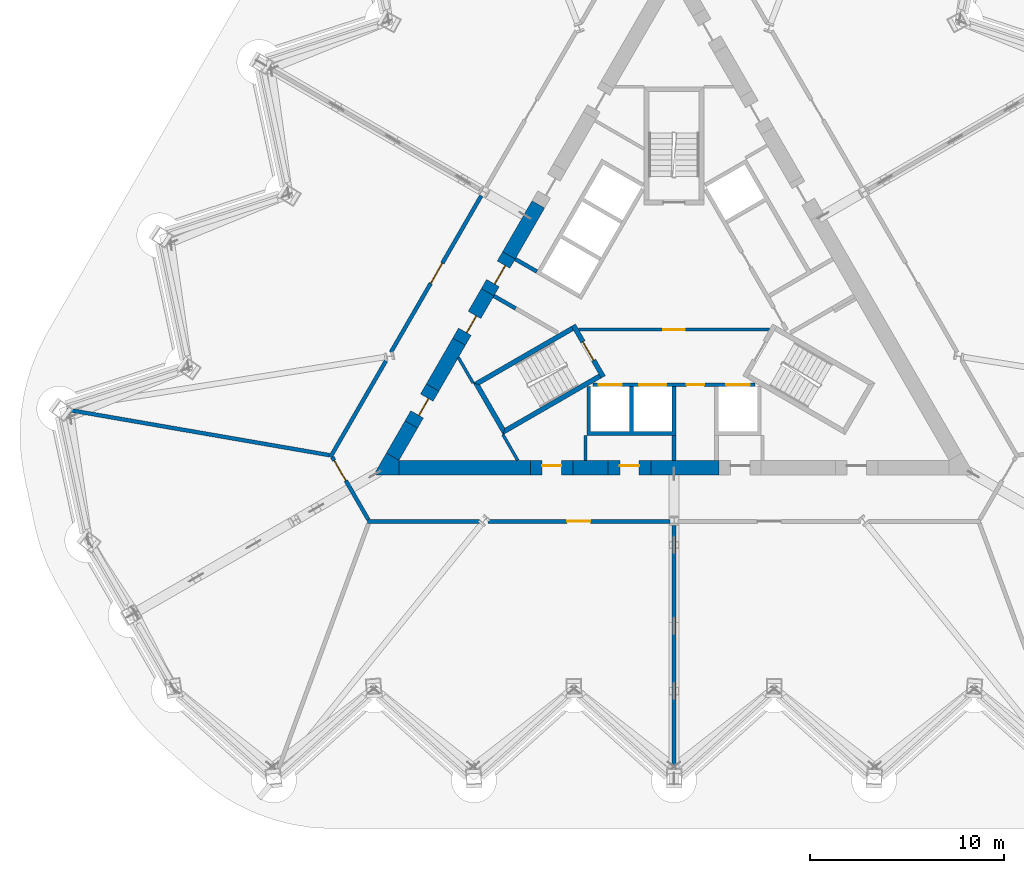
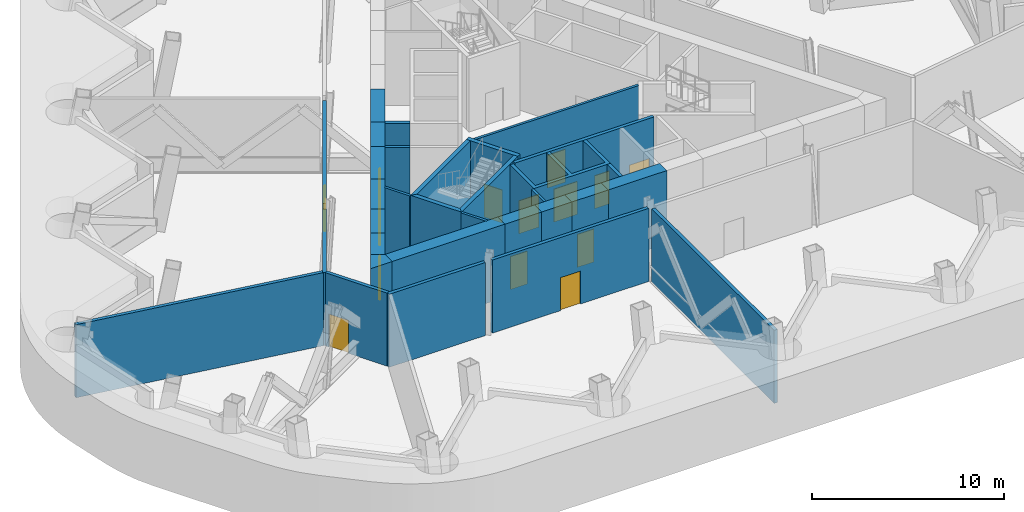
# One storey, part 5 of 13: 32 walls, 14 doors, 14 openings.
"""IFC4 building model written with IfcOpenShell, lengths in metres."""

from ifc_helpers import new_model, si_unit, direction, frame, frame_2d, origin, place, context, subcontext, project, spatial, polyline, rectangle, outline, extrude, material, layer, layer_set, type_object, element, fill, save


model = new_model("IFC4")

# Units and contexts
model_context = context("Model", 3, precision=1e-05, world=origin(), true_north=direction((0.0, 1.0)))
body_context = subcontext(model_context, "Body", "Model", "MODEL_VIEW")
ifc_project = project(units=[si_unit("LENGTHUNIT", "METRE"), si_unit("AREAUNIT", "SQUARE_METRE"), si_unit("VOLUMEUNIT", "CUBIC_METRE"), si_unit("PLANEANGLEUNIT", "RADIAN"), si_unit("MASSUNIT", "GRAM", prefix="KILO")], contexts=[model_context])

# Site, building, storey
site_placement = place(None, origin())
site = spatial("IfcSite", under=ifc_project, at=site_placement, CompositionType="ELEMENT")
building_placement = place(site_placement, origin())
building = spatial("IfcBuilding", under=site, at=building_placement, Name="Cormorant Prow Tower", CompositionType="ELEMENT")
storey_placement = place(building_placement, frame((0.0, 0.0, 226.0)))
storey = spatial("IfcBuildingStorey", under=building, at=storey_placement, Name="L49", CompositionType="ELEMENT", Elevation=226.0)

# Wall, opening, door
ifc_material_1 = material(Name="Gypsum board partition")
ifc_layer_1 = layer(ifc_material_1, 0.14990234375)
ifc_layer_set_1 = layer_set([ifc_layer_1], Name="Gypsum board partition")
wall_type_1 = type_object("IfcWallType", Name="Core partition 150", PredefinedType="PARTITIONING", material=ifc_layer_set_1)
wall_1_placement = place(storey_placement, frame((-4.941162109375, -1.449951171875, 0.0), z_axis=(0.0, 0.0, 1.0), x_axis=(1.0, 0.0, 0.0)))
wall_1 = element("IfcWall", 1, at=wall_1_placement, inside=storey, type_object=wall_type_1, Name="Firefighting lobby partition", PredefinedType="PARTITIONING", context=body_context, shape_type="SweptSolid", body=[
    extrude(rectangle(XDim=9.88232421875, YDim=0.14990234375, at=frame_2d((4.941162109375, 0.0))), origin(), (0.0, 0.0, 1.0), 4.64990234375),
])
opening_1_placement = place(wall_1_placement, frame((4.39111328125, 0.0, 0.0)))
opening_1 = element("IfcOpeningElement", 2, at=opening_1_placement, cuts=wall_1, Name="Opening L49-C07", PredefinedType="OPENING", context=body_context, shape_type="SweptSolid", body=[
    extrude(rectangle(XDim=1.10009765625, YDim=2.10009765625, at=frame_2d((0.550048828125, 1.050048828125))), frame((0.0, 0.0849609375, 0.0), z_axis=(0.0, -1.0, 0.0), x_axis=(1.0, 0.0, 0.0)), (0.0, 0.0, 1.0), 0.169921875),
])
ifc_material_2 = material(Name="Painted steel", Category="steel")
door_type_1 = type_object("IfcDoorType", Name="Firefighting lobby door 1100x2100", OperationType="NOTDEFINED", PredefinedType="DOOR", material=ifc_material_2)
door_1_placement = place(opening_1_placement, origin())
door_1 = element("IfcDoor", 3, at=door_1_placement, inside=storey, type_object=door_type_1, Name="Firefighting lobby door", OperationType="SINGLE_SWING_LEFT", OverallHeight=2.10009765625, OverallWidth=1.10009765625, PredefinedType="DOOR", context=body_context, shape_type="SweptSolid", body=[
    extrude(rectangle(XDim=1.10009765625, YDim=2.10009765625, at=frame_2d((0.550048828125, 1.050048828125))), frame((0.0, 0.02490234375, 0.0), z_axis=(0.0, -1.0, 0.0), x_axis=(1.0, 0.0, 0.0)), (0.0, 0.0, 1.0), 0.050048828125),
])
fill(opening_1, door_1)

# Walls
wall_2_placement = place(storey_placement, frame((-4.574951171875, -6.906005859375, 0.0), z_axis=(0.0, 0.0, 1.0), x_axis=(0.0, -1.0, 0.0)))
element("IfcWall", 4, at=wall_2_placement, inside=storey, type_object=wall_type_1, Name="Service room partition", PredefinedType="PARTITIONING", context=body_context, shape_type="SweptSolid", body=[
    extrude(rectangle(XDim=1.29296875, YDim=0.14990234375, at=frame_2d((0.646484375, 0.0))), origin(), (0.0, 0.0, 1.0), 4.64990234375),
])
for number, where, z_axis, x_axis, name in (
    (5, (-8.82958984375, -6.880615234375, 0.0), (0.0, 0.0, 1.0), (0.500037110984, -0.866003976688, 0.0), "Service room partition"),
    (6, (-10.37353515625, -4.206298828125, 0.0), (0.0, 0.0, 1.0), (-0.500037110984, 0.866003976688, 0.0), "Service room partition"),
):
    element("IfcWall", number, at=place(storey_placement, frame(where, z_axis=z_axis, x_axis=x_axis)), inside=storey, type_object=wall_type_1, Name=name, PredefinedType="PARTITIONING", context=body_context, shape_type="SweptSolid", body=[
        extrude(rectangle(XDim=1.5224609375, YDim=0.14990234375, at=frame_2d((0.76123046875, 0.0))), origin(), (0.0, 0.0, 1.0), 4.64990234375),
    ])
ifc_material_3 = material(Name="Concrete 8000 psi", Category="concrete")
ifc_layer_2 = layer(ifc_material_3, 0.75)
ifc_layer_set_2 = layer_set([ifc_layer_2], Name="Concrete 8000 psi")
wall_type_2 = type_object("IfcWallType", Name="Core shear wall 750", PredefinedType="SHEAR", material=ifc_layer_set_2)
wall_3_placement = place(storey_placement, frame((-14.200927734375, -8.573974609375, 0.0), z_axis=(0.0, 0.0, 1.0), x_axis=(1.0, 0.0, 0.0)))
element("IfcWall", 7, at=wall_3_placement, inside=storey, type_object=wall_type_2, Name="Core wall", PredefinedType="SHEAR", context=body_context, shape_type="SweptSolid", body=[
    extrude(rectangle(XDim=6.784912109375, YDim=0.75, at=frame_2d((3.392578125, 0.0))), origin(), (0.0, 0.0, 1.0), 4.64990234375),
])
wall_4_placement = place(storey_placement, frame((-1.199951171875, -8.573974609375, 0.0), z_axis=(0.0, 0.0, 1.0), x_axis=(1.0, 0.0, 0.0)))
element("IfcWall", 8, at=wall_4_placement, inside=storey, type_object=wall_type_2, Name="Core wall", PredefinedType="SHEAR", context=body_context, shape_type="SweptSolid", body=[
    extrude(rectangle(XDim=3.52001953125, YDim=0.75, at=frame_2d((1.760009765625, 0.0))), origin(), (0.0, 0.0, 1.0), 4.64990234375),
])
wall_5_placement = place(storey_placement, frame((-5.2158203125, -8.573974609375, 0.0), z_axis=(0.0, 0.0, 1.0), x_axis=(1.0, 0.0, 0.0)))
element("IfcWall", 9, at=wall_5_placement, inside=storey, type_object=wall_type_2, Name="Core wall", PredefinedType="SHEAR", context=body_context, shape_type="SweptSolid", body=[
    extrude(rectangle(XDim=1.81591796875, YDim=0.75, at=frame_2d((0.907958984375, 0.0))), origin(), (0.0, 0.0, 1.0), 4.64990234375),
])
wall_6_placement = place(storey_placement, frame((-7.00634765625, 5.012451171875, 0.0), z_axis=(0.0, 0.0, 1.0), x_axis=(-0.49996826437, -0.866043725583, 0.0)))
element("IfcWall", 10, at=wall_6_placement, inside=storey, type_object=wall_type_2, Name="Core wall", PredefinedType="SHEAR", context=body_context, shape_type="SweptSolid", body=[
    extrude(rectangle(XDim=3.037841796875, YDim=0.75, at=frame_2d((1.51904296875, 0.0))), origin(), (0.0, 0.0, 1.0), 4.64990234375),
])
wall_7_placement = place(storey_placement, frame((-11.095703125, -2.0703125, 0.0), z_axis=(0.0, 0.0, 1.0), x_axis=(-0.49992834617, -0.86606676919, 0.0)))
element("IfcWall", 11, at=wall_7_placement, inside=storey, type_object=wall_type_2, Name="Core wall", PredefinedType="SHEAR", context=body_context, shape_type="SweptSolid", body=[
    extrude(rectangle(XDim=2.7373046875, YDim=0.75, at=frame_2d((1.36865234375, 0.0))), origin(), (0.0, 0.0, 1.0), 4.64990234375),
])
wall_8_placement = place(storey_placement, frame((-13.564208984375, -6.34619140625, 0.0), z_axis=(0.0, 0.0, 1.0), x_axis=(-0.499989888488, -0.86603124159, 0.0)))
element("IfcWall", 12, at=wall_8_placement, inside=storey, type_object=wall_type_2, Name="Core wall", PredefinedType="SHEAR", context=body_context, shape_type="SweptSolid", body=[
    extrude(rectangle(XDim=1.9228515625, YDim=0.75, at=frame_2d((0.96142578125, 0.0))), origin(), (0.0, 0.0, 1.0), 4.64990234375),
])
wall_9_placement = place(storey_placement, origin())
element("IfcWall", 13, at=wall_9_placement, inside=storey, type_object=wall_type_2, Name="Core wall corner", PredefinedType="SHEAR", context=body_context, shape_type="SweptSolid", body=[
    extrude(outline(polyline([(-14.8505859375, -7.823974609375), (-14.200927734375, -8.198974609375), (-14.200927734375, -8.948974609375), (-15.5, -8.948974609375), (-14.8505859375, -7.823974609375)])), origin(), (0.0, 0.0, 1.0), 4.64990234375),
])

# Wall, opening, door
wall_10_placement = place(storey_placement, frame((-3.39990234375, -8.573974609375, 0.0), z_axis=(0.0, 0.0, 1.0), x_axis=(1.0, 0.0, 0.0)))
wall_10 = element("IfcWall", 14, at=wall_10_placement, inside=storey, type_object=wall_type_2, Name="Core wall door panel", PredefinedType="SHEAR", context=body_context, shape_type="SweptSolid", body=[
    extrude(rectangle(XDim=2.199951171875, YDim=0.75, at=frame_2d((1.10009765625, 0.0))), origin(), (0.0, 0.0, 1.0), 4.64990234375),
])
opening_2_placement = place(wall_10_placement, frame((0.60009765625, 0.0, 0.0)))
opening_2 = element("IfcOpeningElement", 15, at=opening_2_placement, cuts=wall_10, Name="Opening L49-C11", PredefinedType="OPENING", context=body_context, shape_type="SweptSolid", body=[
    extrude(rectangle(XDim=1.0, YDim=2.10009765625, at=frame_2d((0.5, 1.050048828125))), frame((0.0, 0.385009765625, 0.0), z_axis=(0.0, -1.0, 0.0), x_axis=(1.0, 0.0, 0.0)), (0.0, 0.0, 1.0), 0.77001953125),
])
ifc_material_4 = material(Name="Painted steel", Category="steel")
door_type_2 = type_object("IfcDoorType", Name="Service door 1000x2100", OperationType="NOTDEFINED", PredefinedType="DOOR", material=ifc_material_4)
door_2_placement = place(opening_2_placement, origin())
door_2 = element("IfcDoor", 16, at=door_2_placement, inside=storey, type_object=door_type_2, Name="Core door, Electrical switch room", OperationType="SINGLE_SWING_LEFT", OverallHeight=2.10009765625, OverallWidth=1.0, PredefinedType="DOOR", context=body_context, shape_type="SweptSolid", body=[
    extrude(rectangle(XDim=1.0, YDim=2.10009765625, at=frame_2d((0.5, 1.050048828125))), frame((0.0, 0.1298828125, 0.0), z_axis=(0.0, -1.0, 0.0), x_axis=(1.0, 0.0, 0.0)), (0.0, 0.0, 1.0), 0.050048828125),
])
fill(opening_2, door_2)

wall_11_placement = place(storey_placement, frame((-12.46435546875, -4.44091796875, 0.0), z_axis=(0.0, 0.0, 1.0), x_axis=(-0.499994660107, -0.866028486751, 0.0)))
wall_11 = element("IfcWall", 17, at=wall_11_placement, inside=storey, type_object=wall_type_2, Name="Core wall door panel", PredefinedType="SHEAR", context=body_context, shape_type="SweptSolid", body=[
    extrude(rectangle(XDim=2.19970703125, YDim=0.75, at=frame_2d((1.099853515625, 0.0))), origin(), (0.0, 0.0, 1.0), 4.64990234375),
])
opening_3_placement = place(wall_11_placement, frame((0.60009765625, 0.0, 0.0)))
opening_3 = element("IfcOpeningElement", 18, at=opening_3_placement, cuts=wall_11, Name="Opening L49-C13", PredefinedType="OPENING", context=body_context, shape_type="SweptSolid", body=[
    extrude(rectangle(XDim=1.0, YDim=2.10009765625, at=frame_2d((0.5, 1.050048828125))), frame((0.0, 0.385009765625, 0.0), z_axis=(0.0, -1.0, 0.0), x_axis=(1.0, 0.0, 0.0)), (0.0, 0.0, 1.0), 0.77001953125),
])
door_3_placement = place(opening_3_placement, origin())
door_3 = element("IfcDoor", 19, at=door_3_placement, inside=storey, type_object=door_type_2, Name="Core door, Mechanical riser room", OperationType="SINGLE_SWING_LEFT", OverallHeight=2.10009765625, OverallWidth=1.0, PredefinedType="DOOR", context=body_context, shape_type="SweptSolid", body=[
    extrude(rectangle(XDim=1.0, YDim=2.10009765625, at=frame_2d((0.5, 1.050048828125))), frame((0.0, 0.1298828125, 0.0), z_axis=(0.0, -1.0, 0.0), x_axis=(1.0, 0.0, 0.0)), (0.0, 0.0, 1.0), 0.050048828125),
])
fill(opening_3, door_3)

wall_12_placement = place(storey_placement, frame((-9.625244140625, 0.4765625, 0.0), z_axis=(0.0, 0.0, 1.0), x_axis=(-0.500005104963, -0.866022456413, 0.0)))
wall_12 = element("IfcWall", 20, at=wall_12_placement, inside=storey, type_object=wall_type_2, Name="Core wall door panel", PredefinedType="SHEAR", context=body_context, shape_type="SweptSolid", body=[
    extrude(rectangle(XDim=2.94091796875, YDim=0.75, at=frame_2d((1.470458984375, 0.0))), origin(), (0.0, 0.0, 1.0), 4.64990234375),
])
opening_4_placement = place(wall_12_placement, frame((1.35009765625, 0.0, 0.0)))
opening_4 = element("IfcOpeningElement", 21, at=opening_4_placement, cuts=wall_12, Name="Opening L49-C18", PredefinedType="OPENING", context=body_context, shape_type="SweptSolid", body=[
    extrude(rectangle(XDim=1.0, YDim=2.10009765625, at=frame_2d((0.5, 1.050048828125))), frame((0.0, 0.385009765625, 0.0), z_axis=(0.0, -1.0, 0.0), x_axis=(1.0, 0.0, 0.0)), (0.0, 0.0, 1.0), 0.77001953125),
])
door_4_placement = place(opening_4_placement, origin())
door_4 = element("IfcDoor", 22, at=door_4_placement, inside=storey, type_object=door_type_2, Name="Core door, Mechanical riser room", OperationType="SINGLE_SWING_LEFT", OverallHeight=2.10009765625, OverallWidth=1.0, PredefinedType="DOOR", context=body_context, shape_type="SweptSolid", body=[
    extrude(rectangle(XDim=1.0, YDim=2.10009765625, at=frame_2d((0.5, 1.050048828125))), frame((0.0, 0.1298828125, 0.0), z_axis=(0.0, -1.0, 0.0), x_axis=(1.0, 0.0, 0.0)), (0.0, 0.0, 1.0), 0.050048828125),
])
fill(opening_4, door_4)

wall_13_placement = place(storey_placement, frame((-7.416015625, -8.573974609375, 0.0), z_axis=(0.0, 0.0, 1.0), x_axis=(1.0, 0.0, 0.0)))
wall_13 = element("IfcWall", 23, at=wall_13_placement, inside=storey, type_object=wall_type_2, Name="Core wall door panel", PredefinedType="SHEAR", context=body_context, shape_type="SweptSolid", body=[
    extrude(rectangle(XDim=2.2001953125, YDim=0.75, at=frame_2d((1.10009765625, 0.0))), origin(), (0.0, 0.0, 1.0), 4.64990234375),
])
opening_5_placement = place(wall_13_placement, frame((0.60009765625, 0.0, 0.0)))
opening_5 = element("IfcOpeningElement", 24, at=opening_5_placement, cuts=wall_13, Name="Opening L49-C19", PredefinedType="OPENING", context=body_context, shape_type="SweptSolid", body=[
    extrude(rectangle(XDim=1.0, YDim=2.10009765625, at=frame_2d((0.5, 1.050048828125))), frame((0.0, 0.385009765625, 0.0), z_axis=(0.0, -1.0, 0.0), x_axis=(1.0, 0.0, 0.0)), (0.0, 0.0, 1.0), 0.77001953125),
])
door_5_placement = place(opening_5_placement, origin())
door_5 = element("IfcDoor", 25, at=door_5_placement, inside=storey, type_object=door_type_2, Name="Core door, Mechanical riser room", OperationType="SINGLE_SWING_LEFT", OverallHeight=2.10009765625, OverallWidth=1.0, PredefinedType="DOOR", context=body_context, shape_type="SweptSolid", body=[
    extrude(rectangle(XDim=1.0, YDim=2.10009765625, at=frame_2d((0.5, 1.050048828125))), frame((0.0, 0.1298828125, 0.0), z_axis=(0.0, -1.0, 0.0), x_axis=(1.0, 0.0, 0.0)), (0.0, 0.0, 1.0), 0.050048828125),
])
fill(opening_5, door_5)

wall_14_placement = place(storey_placement, frame((-8.525146484375, 2.381591796875, 0.0), z_axis=(0.0, 0.0, 1.0), x_axis=(-0.500077893725, -0.86598042715, 0.0)))
wall_14 = element("IfcWall", 26, at=wall_14_placement, inside=storey, type_object=wall_type_2, Name="Core wall door panel", PredefinedType="SHEAR", context=body_context, shape_type="SweptSolid", body=[
    extrude(rectangle(XDim=2.199951171875, YDim=0.75, at=frame_2d((1.10009765625, 0.0))), origin(), (0.0, 0.0, 1.0), 4.64990234375),
])
opening_6_placement = place(wall_14_placement, frame((0.550048828125, 0.0, 0.0)))
opening_6 = element("IfcOpeningElement", 27, at=opening_6_placement, cuts=wall_14, Name="Opening L49-C22", PredefinedType="OPENING", context=body_context, shape_type="SweptSolid", body=[
    extrude(rectangle(XDim=1.10009765625, YDim=2.10009765625, at=frame_2d((0.550048828125, 1.050048828125))), frame((0.0, 0.385009765625, 0.0), z_axis=(0.0, -1.0, 0.0), x_axis=(1.0, 0.0, 0.0)), (0.0, 0.0, 1.0), 0.77001953125),
])
ifc_material_5 = material(Name="Painted steel", Category="steel")
door_type_3 = type_object("IfcDoorType", Name="Core door 1100x2100", OperationType="NOTDEFINED", PredefinedType="DOOR", material=ifc_material_5)
door_6_placement = place(opening_6_placement, origin())
door_6 = element("IfcDoor", 28, at=door_6_placement, inside=storey, type_object=door_type_3, Name="Core door, lift lobby", OperationType="SINGLE_SWING_RIGHT", OverallHeight=2.10009765625, OverallWidth=1.10009765625, PredefinedType="DOOR", context=body_context, shape_type="SweptSolid", body=[
    extrude(rectangle(XDim=1.10009765625, YDim=2.10009765625, at=frame_2d((0.550048828125, 1.050048828125))), frame((0.0, 0.1298828125, 0.0), z_axis=(0.0, -1.0, 0.0), x_axis=(1.0, 0.0, 0.0)), (0.0, 0.0, 1.0), 0.050048828125),
])
fill(opening_6, door_6)

ifc_material_6 = material(Name="Gypsum board corridor wall")
ifc_layer_3 = layer(ifc_material_6, 0.199951171875)
ifc_layer_set_3 = layer_set([ifc_layer_3], Name="Gypsum board corridor wall")
wall_type_3 = type_object("IfcWallType", Name="Corridor wall 200", PredefinedType="PARTITIONING", material=ifc_layer_set_3)
wall_15_placement = place(storey_placement, frame((-9.61474609375, -11.348876953125, 0.0), z_axis=(0.0, 0.0, 1.0), x_axis=(1.0, 0.0, 0.0)))
wall_15 = element("IfcWall", 29, at=wall_15_placement, inside=storey, type_object=wall_type_3, Name="Corridor wall", PredefinedType="PARTITIONING", context=body_context, shape_type="SweptSolid", body=[
    extrude(rectangle(XDim=9.401123046875, YDim=0.199951171875, at=frame_2d((4.70068359375, 0.0))), origin(), (0.0, 0.0, 1.0), 4.64990234375),
])
opening_7_placement = place(wall_15_placement, frame((4.1005859375, 0.0, 0.0)))
opening_7 = element("IfcOpeningElement", 30, at=opening_7_placement, cuts=wall_15, Name="Opening L49-F01", PredefinedType="OPENING", context=body_context, shape_type="SweptSolid", body=[
    extrude(rectangle(XDim=1.199951171875, YDim=2.10009765625, at=frame_2d((0.60009765625, 1.050048828125))), frame((0.0, 0.10986328125, 0.0), z_axis=(0.0, -1.0, 0.0), x_axis=(1.0, 0.0, 0.0)), (0.0, 0.0, 1.0), 0.219970703125),
])
ifc_material_7 = material(Name="Timber door leaf", Category="wood")
door_type_4 = type_object("IfcDoorType", Name="Plant room door 1200x2100", OperationType="NOTDEFINED", PredefinedType="DOOR", material=ifc_material_7)
door_7_placement = place(opening_7_placement, origin())
door_7 = element("IfcDoor", 31, at=door_7_placement, inside=storey, type_object=door_type_4, Name="Chiller plant room door", OperationType="SINGLE_SWING_RIGHT", OverallHeight=2.10009765625, OverallWidth=1.199951171875, PredefinedType="DOOR", context=body_context, shape_type="SweptSolid", body=[
    extrude(rectangle(XDim=1.199951171875, YDim=2.10009765625, at=frame_2d((0.60009765625, 1.050048828125))), frame((0.0, 0.02490234375, 0.0), z_axis=(0.0, -1.0, 0.0), x_axis=(1.0, 0.0, 0.0)), (0.0, 0.0, 1.0), 0.050048828125),
])
fill(opening_7, door_7)

wall_16_placement = place(storey_placement, frame((-14.619384765625, -2.62353515625, 0.0), z_axis=(0.0, 0.0, 1.0), x_axis=(0.50000393355, 0.866023132736, 0.0)))
wall_16 = element("IfcWall", 32, at=wall_16_placement, inside=storey, type_object=wall_type_3, Name="Corridor wall", PredefinedType="PARTITIONING", context=body_context, shape_type="SweptSolid", body=[
    extrude(rectangle(XDim=9.3349609375, YDim=0.199951171875, at=frame_2d((4.66748046875, 0.0))), origin(), (0.0, 0.0, 1.0), 4.64990234375),
])
opening_8_placement = place(wall_16_placement, frame((4.11767578125, 0.0, 0.0)))
opening_8 = element("IfcOpeningElement", 33, at=opening_8_placement, cuts=wall_16, Name="Opening L49-F05", PredefinedType="OPENING", context=body_context, shape_type="SweptSolid", body=[
    extrude(rectangle(XDim=1.199951171875, YDim=2.10009765625, at=frame_2d((0.60009765625, 1.050048828125))), frame((0.0, 0.10986328125, 0.0), z_axis=(0.0, -1.0, 0.0), x_axis=(1.0, 0.0, 0.0)), (0.0, 0.0, 1.0), 0.219970703125),
])
door_8_placement = place(opening_8_placement, origin())
door_8 = element("IfcDoor", 34, at=door_8_placement, inside=storey, type_object=door_type_4, Name="Boiler plant room door", OperationType="SINGLE_SWING_LEFT", OverallHeight=2.10009765625, OverallWidth=1.199951171875, PredefinedType="DOOR", context=body_context, shape_type="SweptSolid", body=[
    extrude(rectangle(XDim=1.199951171875, YDim=2.10009765625, at=frame_2d((0.60009765625, 1.050048828125))), frame((0.0, 0.02490234375, 0.0), z_axis=(0.0, -1.0, 0.0), x_axis=(1.0, 0.0, 0.0)), (0.0, 0.0, 1.0), 0.050048828125),
])
fill(opening_8, door_8)

# Walls
wall_17_placement = place(storey_placement, frame((-15.830810546875, -11.348876953125, 0.0), z_axis=(0.0, 0.0, 1.0), x_axis=(1.0, 0.0, 0.0)))
element("IfcWall", 35, at=wall_17_placement, inside=storey, type_object=wall_type_3, Name="Corridor wall", PredefinedType="PARTITIONING", context=body_context, shape_type="SweptSolid", body=[
    extrude(rectangle(XDim=5.78857421875, YDim=0.199951171875, at=frame_2d((2.894287109375, 0.0))), origin(), (0.0, 0.0, 1.0), 4.64990234375),
])
wall_18_placement = place(storey_placement, frame((-17.743896484375, -8.035400390625, 0.0), z_axis=(0.0, 0.0, 1.0), x_axis=(0.499975807604, 0.86603937082, 0.0)))
element("IfcWall", 36, at=wall_18_placement, inside=storey, type_object=wall_type_3, Name="Corridor wall", PredefinedType="PARTITIONING", context=body_context, shape_type="SweptSolid", body=[
    extrude(rectangle(XDim=5.755615234375, YDim=0.199951171875, at=frame_2d((2.8779296875, 0.0))), origin(), (0.0, 0.0, 1.0), 4.64990234375),
])

# Wall, opening, door
wall_19_placement = place(storey_placement, frame((-17.643798828125, -8.035400390625, 0.0), z_axis=(0.0, 0.0, 1.0), x_axis=(0.499958791762, -0.866049194065, 0.0)))
wall_19 = element("IfcWall", 37, at=wall_19_placement, inside=storey, type_object=wall_type_3, Name="Corridor wall", PredefinedType="PARTITIONING", context=body_context, shape_type="SweptSolid", body=[
    extrude(rectangle(XDim=3.725830078125, YDim=0.199951171875, at=frame_2d((1.86279296875, 0.0))), origin(), (0.0, 0.0, 1.0), 4.64990234375),
])
opening_9_placement = place(wall_19_placement, frame((0.201171875, 0.0, 0.0)))
opening_9 = element("IfcOpeningElement", 38, at=opening_9_placement, cuts=wall_19, Name="Opening L49-F03", PredefinedType="OPENING", context=body_context, shape_type="SweptSolid", body=[
    extrude(rectangle(XDim=1.199951171875, YDim=2.10009765625, at=frame_2d((0.60009765625, 1.050048828125))), frame((0.0, 0.10986328125, 0.0), z_axis=(0.0, -1.0, 0.0), x_axis=(1.0, 0.0, 0.0)), (0.0, 0.0, 1.0), 0.219970703125),
])
door_9_placement = place(opening_9_placement, origin())
door_9 = element("IfcDoor", 39, at=door_9_placement, inside=storey, type_object=door_type_4, Name="Electrical switch room door", OperationType="SINGLE_SWING_LEFT", OverallHeight=2.10009765625, OverallWidth=1.199951171875, PredefinedType="DOOR", context=body_context, shape_type="SweptSolid", body=[
    extrude(rectangle(XDim=1.199951171875, YDim=2.10009765625, at=frame_2d((0.60009765625, 1.050048828125))), frame((0.0, 0.02490234375, 0.0), z_axis=(0.0, -1.0, 0.0), x_axis=(1.0, 0.0, 0.0)), (0.0, 0.0, 1.0), 0.050048828125),
])
fill(opening_9, door_9)

# Walls
ifc_material_8 = material(Name="Gypsum board demising wall")
ifc_layer_4 = layer(ifc_material_8, 0.199951171875)
ifc_layer_set_4 = layer_set([ifc_layer_4], Name="Gypsum board demising wall")
wall_type_4 = type_object("IfcWallType", Name="Demising wall 200", PredefinedType="PARTITIONING", material=ifc_layer_set_4)
wall_20_placement = place(storey_placement, frame((-31.3291015625, -5.583984375, 0.0), z_axis=(0.0, 0.0, 1.0), x_axis=(0.985288995773, -0.170896444691, 0.0)))
element("IfcWall", 40, at=wall_20_placement, inside=storey, type_object=wall_type_4, Name="Demising wall", PredefinedType="PARTITIONING", context=body_context, shape_type="SweptSolid", body=[
    extrude(rectangle(XDim=13.73876953125, YDim=0.199951171875, at=frame_2d((6.869384765625, 0.0))), origin(), (0.0, 0.0, 1.0), 4.64990234375),
])
wall_21_placement = place(storey_placement, frame((0.0, -24.3115234375, 0.0), z_axis=(0.0, 0.0, 1.0), x_axis=(0.0, 1.0, 0.0)))
element("IfcWall", 41, at=wall_21_placement, inside=storey, type_object=wall_type_4, Name="Demising wall", PredefinedType="PARTITIONING", context=body_context, shape_type="SweptSolid", body=[
    extrude(rectangle(XDim=12.7490234375, YDim=0.199951171875, at=frame_2d((6.37451171875, 0.0))), origin(), (0.0, 0.0, 1.0), 4.64990234375),
])

# Wall, openings, doors
ifc_material_9 = material(Name="Concrete 5000 psi", Category="concrete")
ifc_layer_5 = layer(ifc_material_9, 0.199951171875)
ifc_layer_set_5 = layer_set([ifc_layer_5], Name="Concrete 5000 psi")
wall_type_5 = type_object("IfcWallType", Name="Lift lobby wall 200", PredefinedType="SOLIDWALL", material=ifc_layer_set_5)
wall_22_placement = place(storey_placement, frame((-4.1865234375, -4.300048828125, 0.0), z_axis=(0.0, 0.0, 1.0), x_axis=(1.0, 0.0, 0.0)))
wall_22 = element("IfcWall", 42, at=wall_22_placement, inside=storey, type_object=wall_type_5, Name="Lift lobby wall, S block", PredefinedType="SOLIDWALL", context=body_context, shape_type="SweptSolid", body=[
    extrude(rectangle(XDim=8.373046875, YDim=0.199951171875, at=frame_2d((4.1865234375, 0.0))), origin(), (0.0, 0.0, 1.0), 4.64990234375),
])
opening_10_placement = place(wall_22_placement, frame((0.28662109375, 0.0, 0.0)))
opening_10 = element("IfcOpeningElement", 43, at=opening_10_placement, cuts=wall_22, Name="Opening L49-C01", PredefinedType="OPENING", context=body_context, shape_type="SweptSolid", body=[
    extrude(rectangle(XDim=1.199951171875, YDim=2.10009765625, at=frame_2d((0.60009765625, 1.050048828125))), frame((0.0, 0.10986328125, 0.0), z_axis=(0.0, -1.0, 0.0), x_axis=(1.0, 0.0, 0.0)), (0.0, 0.0, 1.0), 0.219970703125),
])
opening_11_placement = place(wall_22_placement, frame((2.38671875, 0.0, 0.0)))
opening_11 = element("IfcOpeningElement", 44, at=opening_11_placement, cuts=wall_22, Name="Opening L49-C02", PredefinedType="OPENING", context=body_context, shape_type="SweptSolid", body=[
    extrude(rectangle(XDim=1.39990234375, YDim=2.10009765625, at=frame_2d((0.699951171875, 1.050048828125))), frame((0.0, 0.10986328125, 0.0), z_axis=(0.0, -1.0, 0.0), x_axis=(1.0, 0.0, 0.0)), (0.0, 0.0, 1.0), 0.219970703125),
])
opening_12_placement = place(wall_22_placement, frame((4.836669921875, 0.0, 0.0)))
opening_12 = element("IfcOpeningElement", 45, at=opening_12_placement, cuts=wall_22, Name="Opening L49-C03", PredefinedType="OPENING", context=body_context, shape_type="SweptSolid", body=[
    extrude(rectangle(XDim=0.89990234375, YDim=2.10009765625, at=frame_2d((0.449951171875, 1.050048828125))), frame((0.0, 0.10986328125, 0.0), z_axis=(0.0, -1.0, 0.0), x_axis=(1.0, 0.0, 0.0)), (0.0, 0.0, 1.0), 0.219970703125),
])
opening_13_placement = place(wall_22_placement, frame((6.88671875, 0.0, 0.0)))
opening_13 = element("IfcOpeningElement", 46, at=opening_13_placement, cuts=wall_22, Name="Opening L49-C04", PredefinedType="OPENING", context=body_context, shape_type="SweptSolid", body=[
    extrude(rectangle(XDim=1.199951171875, YDim=2.10009765625, at=frame_2d((0.60009765625, 1.050048828125))), frame((0.0, 0.10986328125, 0.0), z_axis=(0.0, -1.0, 0.0), x_axis=(1.0, 0.0, 0.0)), (0.0, 0.0, 1.0), 0.219970703125),
])
ifc_material_10 = material(Name="Painted steel", Category="steel")
door_type_5 = type_object("IfcDoorType", Name="Firefighting lift landing door 1200x2100", OperationType="SLIDING_TO_LEFT", PredefinedType="DOOR", material=ifc_material_10)
door_10_placement = place(opening_10_placement, origin())
door_10 = element("IfcDoor", 47, at=door_10_placement, inside=storey, type_object=door_type_5, Name="Landing door FL1", OperationType="SLIDING_TO_LEFT", OverallHeight=2.10009765625, OverallWidth=1.199951171875, PredefinedType="DOOR", context=body_context, shape_type="SweptSolid", body=[
    extrude(rectangle(XDim=1.199951171875, YDim=2.10009765625, at=frame_2d((0.60009765625, 1.050048828125))), frame((0.0, 0.02490234375, 0.0), z_axis=(0.0, -1.0, 0.0), x_axis=(1.0, 0.0, 0.0)), (0.0, 0.0, 1.0), 0.050048828125),
])
fill(opening_10, door_10)
door_11_placement = place(opening_13_placement, origin())
door_11 = element("IfcDoor", 48, at=door_11_placement, inside=storey, type_object=door_type_5, Name="Landing door FL2", OperationType="SLIDING_TO_LEFT", OverallHeight=2.10009765625, OverallWidth=1.199951171875, PredefinedType="DOOR", context=body_context, shape_type="SweptSolid", body=[
    extrude(rectangle(XDim=1.199951171875, YDim=2.10009765625, at=frame_2d((0.60009765625, 1.050048828125))), frame((0.0, 0.02490234375, 0.0), z_axis=(0.0, -1.0, 0.0), x_axis=(1.0, 0.0, 0.0)), (0.0, 0.0, 1.0), 0.050048828125),
])
fill(opening_13, door_11)
ifc_material_11 = material(Name="Painted steel", Category="steel")
door_type_6 = type_object("IfcDoorType", Name="Service door 900x2100", OperationType="NOTDEFINED", PredefinedType="DOOR", material=ifc_material_11)
door_12_placement = place(opening_12_placement, origin())
door_12 = element("IfcDoor", 49, at=door_12_placement, inside=storey, type_object=door_type_6, Name="Service door, Electrical switch room", OperationType="SINGLE_SWING_RIGHT", OverallHeight=2.10009765625, OverallWidth=0.89990234375, PredefinedType="DOOR", context=body_context, shape_type="SweptSolid", body=[
    extrude(rectangle(XDim=0.89990234375, YDim=2.10009765625, at=frame_2d((0.449951171875, 1.050048828125))), frame((0.0, 0.02490234375, 0.0), z_axis=(0.0, -1.0, 0.0), x_axis=(1.0, 0.0, 0.0)), (0.0, 0.0, 1.0), 0.050048828125),
])
fill(opening_12, door_12)
ifc_material_12 = material(Name="Painted steel", Category="steel")
door_type_7 = type_object("IfcDoorType", Name="Service lift landing door 1400x2100", OperationType="SLIDING_TO_LEFT", PredefinedType="DOOR", material=ifc_material_12)
door_13_placement = place(opening_11_placement, origin())
door_13 = element("IfcDoor", 50, at=door_13_placement, inside=storey, type_object=door_type_7, Name="Landing door SL1", OperationType="SLIDING_TO_LEFT", OverallHeight=2.10009765625, OverallWidth=1.39990234375, PredefinedType="DOOR", context=body_context, shape_type="SweptSolid", body=[
    extrude(rectangle(XDim=1.39990234375, YDim=2.10009765625, at=frame_2d((0.699951171875, 1.050048828125))), frame((0.0, 0.02490234375, 0.0), z_axis=(0.0, -1.0, 0.0), x_axis=(1.0, 0.0, 0.0)), (0.0, 0.0, 1.0), 0.050048828125),
])
fill(opening_11, door_13)

# Walls
ifc_material_13 = material(Name="Concrete 8000 psi", Category="concrete")
ifc_layer_6 = layer(ifc_material_13, 0.199951171875)
ifc_layer_set_6 = layer_set([ifc_layer_6], Name="Concrete 8000 psi")
wall_type_6 = type_object("IfcWallType", Name="Lift shaft wall 200", PredefinedType="SHEAR", material=ifc_layer_set_6)
wall_23_placement = place(storey_placement, origin())
element("IfcWall", 51, at=wall_23_placement, inside=storey, type_object=wall_type_6, Name="Lift shaft walls, S block", PredefinedType="SHEAR", context=body_context, shape_type="SweptSolid", body=[
    extrude(outline(polyline([(0.10009765625, -4.39990234375), (0.10009765625, -6.906005859375), (-4.5, -6.906005859375), (-4.5, -4.39990234375), (-4.300048828125, -4.39990234375), (-4.300048828125, -6.699951171875), (-2.300048828125, -6.699951171875), (-2.300048828125, -4.39990234375), (-2.10009765625, -4.39990234375), (-2.10009765625, -6.699951171875), (-0.10009765625, -6.699951171875), (-0.10009765625, -4.39990234375), (0.10009765625, -4.39990234375)])), origin(), (0.0, 0.0, 1.0), 4.64990234375),
])
for number, where, z_axis, x_axis, name in (
    (52, (0.0, -6.906005859375, 0.0), (0.0, 0.0, 1.0), (0.0, -1.0, 0.0), "Store side wall"),
    (53, (-7.080810546875, 1.547607421875, 0.0), (0.0, 0.0, 1.0), (-0.866003189247, 0.500038474733, 0.0), "Lobby passage wall"),
    (54, (-8.180908203125, -0.357421875, 0.0), (0.0, 0.0, 1.0), (-0.866003189247, 0.500038474733, 0.0), "Lobby passage wall"),
):
    element("IfcWall", number, at=place(storey_placement, frame(where, z_axis=z_axis, x_axis=x_axis)), inside=storey, type_object=wall_type_6, Name=name, PredefinedType="SHEAR", context=body_context, shape_type="SweptSolid", body=[
        extrude(rectangle(XDim=1.29296875, YDim=0.199951171875, at=frame_2d((0.646484375, 0.0))), origin(), (0.0, 0.0, 1.0), 4.64990234375),
    ])
ifc_material_14 = material(Name="Concrete 8000 psi", Category="concrete")
ifc_layer_7 = layer(ifc_material_14, 0.25)
ifc_layer_set_7 = layer_set([ifc_layer_7], Name="Concrete 8000 psi")
wall_type_7 = type_object("IfcWallType", Name="Stair wall 250", PredefinedType="SHEAR", material=ifc_layer_set_7)
wall_24_placement = place(storey_placement, origin())
element("IfcWall", 55, at=wall_24_placement, inside=storey, type_object=wall_type_7, Name="Stair ST1 enclosure wall (flank)", PredefinedType="SHEAR", context=body_context, shape_type="SweptSolid", body=[
    extrude(outline(polyline([(-5.30712890625, -1.28125), (-10.37353515625, -4.206298828125), (-10.031982421875, -4.2978515625), (-5.18212890625, -1.497802734375), (-5.30712890625, -1.28125)])), origin(), (0.0, 0.0, 1.0), 4.64990234375),
])
wall_25_placement = place(storey_placement, origin())
element("IfcWall", 56, at=wall_25_placement, inside=storey, type_object=wall_type_7, Name="Stair ST1 enclosure wall (end)", PredefinedType="SHEAR", context=body_context, shape_type="SweptSolid", body=[
    extrude(outline(polyline([(-10.37353515625, -4.206298828125), (-8.82958984375, -6.880615234375), (-8.738037109375, -6.5390625), (-10.031982421875, -4.2978515625), (-10.37353515625, -4.206298828125)])), origin(), (0.0, 0.0, 1.0), 4.64990234375),
])
wall_26_placement = place(storey_placement, origin())
element("IfcWall", 57, at=wall_26_placement, inside=storey, type_object=wall_type_7, Name="Stair ST1 enclosure wall (flank)", PredefinedType="SHEAR", context=body_context, shape_type="SweptSolid", body=[
    extrude(outline(polyline([(-8.738037109375, -6.5390625), (-8.82958984375, -6.880615234375), (-3.76318359375, -3.95556640625), (-3.88818359375, -3.739013671875), (-8.738037109375, -6.5390625)])), origin(), (0.0, 0.0, 1.0), 4.64990234375),
])

# Wall, opening, door
wall_27_placement = place(storey_placement, frame((-5.198974609375, -1.21875, 0.0), z_axis=(0.0, 0.0, 1.0), x_axis=(0.499982516597, -0.866035497597, 0.0)))
wall_27 = element("IfcWall", 58, at=wall_27_placement, inside=storey, type_object=wall_type_7, Name="Stair ST1 door wall", PredefinedType="SHEAR", context=body_context, shape_type="SweptSolid", body=[
    extrude(rectangle(XDim=3.087890625, YDim=0.25, at=frame_2d((1.5439453125, 0.0))), origin(), (0.0, 0.0, 1.0), 4.64990234375),
])
opening_14_placement = place(wall_27_placement, frame((0.993896484375, 0.0, 0.0)))
opening_14 = element("IfcOpeningElement", 59, at=opening_14_placement, cuts=wall_27, Name="Opening L49-C08", PredefinedType="OPENING", context=body_context, shape_type="SweptSolid", body=[
    extrude(rectangle(XDim=1.10009765625, YDim=2.10009765625, at=frame_2d((0.550048828125, 1.050048828125))), frame((0.0, 0.135009765625, 0.0), z_axis=(0.0, -1.0, 0.0), x_axis=(1.0, 0.0, 0.0)), (0.0, 0.0, 1.0), 0.27001953125),
])
ifc_material_15 = material(Name="Painted steel", Category="steel")
door_type_8 = type_object("IfcDoorType", Name="Stair door 1100x2100", OperationType="NOTDEFINED", PredefinedType="DOOR", material=ifc_material_15)
door_14_placement = place(opening_14_placement, origin())
door_14 = element("IfcDoor", 60, at=door_14_placement, inside=storey, type_object=door_type_8, Name="Stair ST1 door", OperationType="SINGLE_SWING_LEFT", OverallHeight=2.10009765625, OverallWidth=1.10009765625, PredefinedType="DOOR", context=body_context, shape_type="SweptSolid", body=[
    extrude(rectangle(XDim=1.10009765625, YDim=2.10009765625, at=frame_2d((0.550048828125, 1.050048828125))), frame((0.0, 0.02490234375, 0.0), z_axis=(0.0, -1.0, 0.0), x_axis=(1.0, 0.0, 0.0)), (0.0, 0.0, 1.0), 0.050048828125),
])
fill(opening_14, door_14)

save(model, "model.ifc")
